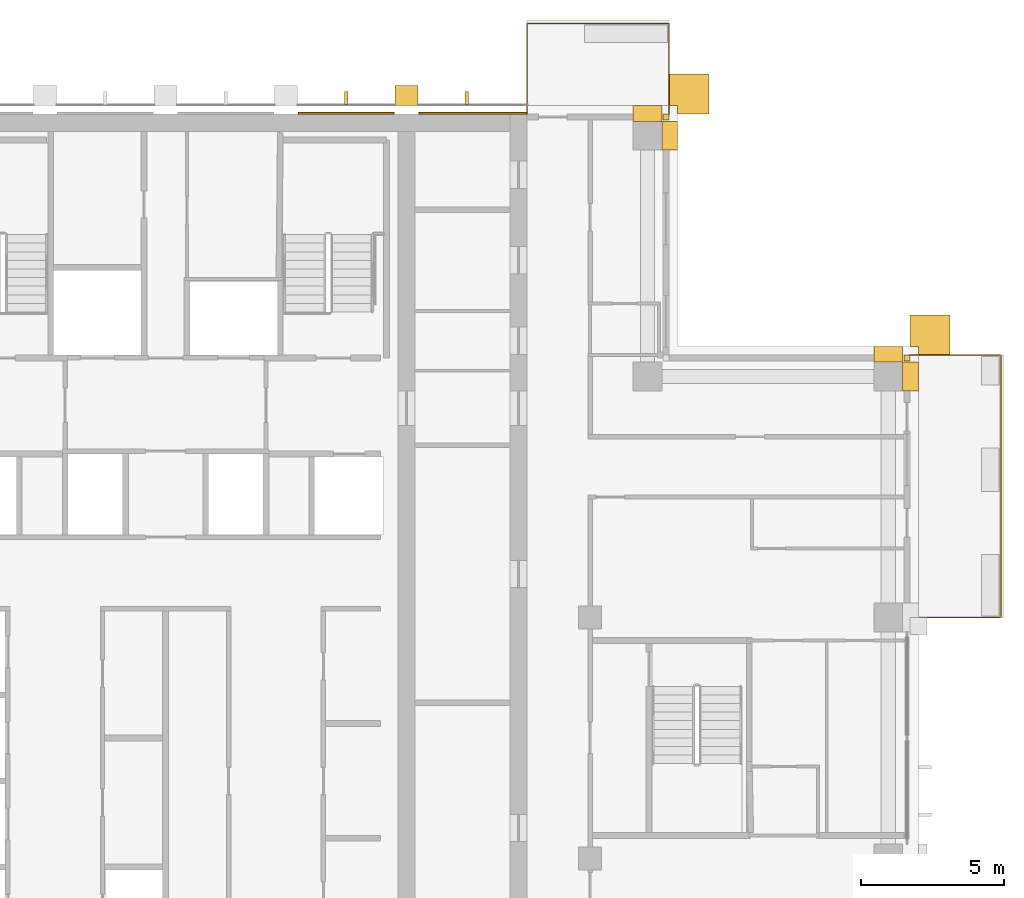
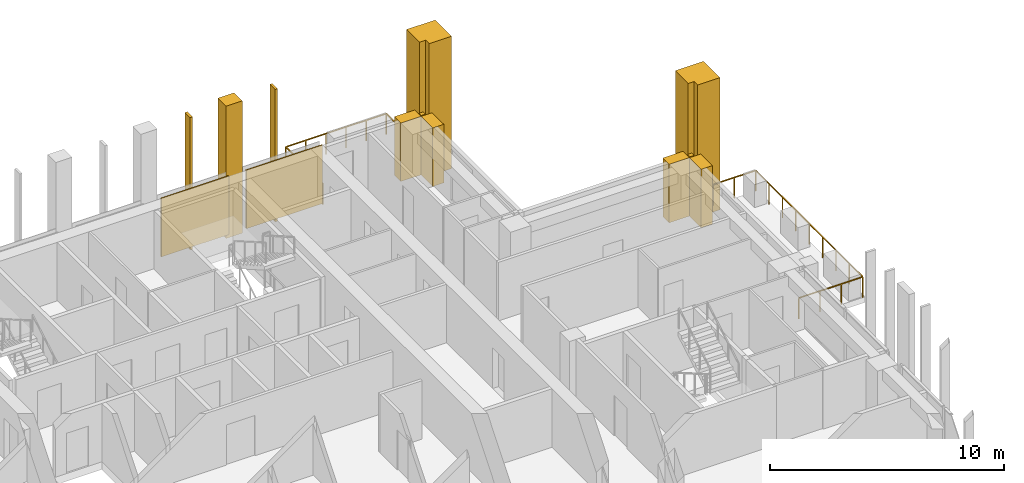
# One storey, part 16 of 16: 13 coverings, 2 railings.
"""IFC4 building model written with IfcOpenShell, lengths in metres."""

from ifc_helpers import new_model, si_unit, direction, frame, origin, origin_2d, place, context, subcontext, project, spatial, polyline, rectangle, outline, extrude, material, layer, layer_set, type_object, element, save


model = new_model("IFC4")

# Units and contexts
model_context = context("Model", 3, precision=1e-05, world=origin(), true_north=direction((0.0, 1.0)))
body_context = subcontext(model_context, "Body", "Model", "MODEL_VIEW")
ifc_project = project(units=[si_unit("LENGTHUNIT", "METRE"), si_unit("AREAUNIT", "SQUARE_METRE"), si_unit("VOLUMEUNIT", "CUBIC_METRE"), si_unit("PLANEANGLEUNIT", "RADIAN"), si_unit("MASSUNIT", "GRAM", prefix="KILO")], contexts=[model_context])

# Site, building, storey
site_placement = place(None, origin())
site = spatial("IfcSite", under=ifc_project, at=site_placement, CompositionType="ELEMENT")
building_placement = place(site_placement, origin())
building = spatial("IfcBuilding", under=site, at=building_placement, Name="Vermilion Ogive Tower", CompositionType="ELEMENT")
storey_placement = place(building_placement, frame((0.0, 0.0, 206.60009765625)))
storey = spatial("IfcBuildingStorey", under=building, at=storey_placement, Name="L54", CompositionType="ELEMENT", Elevation=206.60009765625)

# Railings
ifc_material_1 = material(Name="Stainless steel and glass", Category="steel")
railing_type = type_object("IfcRailingType", Name="Balcony guard", PredefinedType="GUARDRAIL", material=ifc_material_1)
railing_1_placement = place(storey_placement, frame((25.949951171875, 4.199951171875, -0.0400390625)))
element("IfcRailing", 1, at=railing_1_placement, inside=storey, type_object=railing_type, Name="Guard E03", PredefinedType="GUARDRAIL", context=body_context, shape_type="SweptSolid", body=[
    extrude(rectangle(XDim=0.048095703125, YDim=0.048095703125, at=origin_2d()), frame((0.0, 0.0, 1.076171875), z_axis=(1.0, 0.0, 0.0), x_axis=(0.0, 1.0, 0.0)), (0.0, 0.0, 1.0), 3.16015625),
    extrude(rectangle(XDim=0.048095703125, YDim=0.048095703125, at=origin_2d()), frame((3.16015625, 0.0, 1.076171875), z_axis=(0.0, 1.0, 0.0), x_axis=(-1.0, 0.0, 0.0)), (0.0, 0.0, 1.0), 9.150146484375),
    extrude(rectangle(XDim=0.048095703125, YDim=0.048095703125, at=origin_2d()), frame((3.16015625, 9.150146484375, 1.076171875), z_axis=(-1.0, 0.0, 0.0), x_axis=(0.0, -1.0, 0.0)), (0.0, 0.0, 1.0), 3.16015625),
    extrude(rectangle(XDim=0.0419921875, YDim=0.0419921875, at=origin_2d()), origin(), (0.0, 0.0, 1.0), 1.052001953125),
    extrude(rectangle(XDim=0.0419921875, YDim=0.0419921875, at=origin_2d()), frame((1.053466796875, 0.0, 0.0)), (0.0, 0.0, 1.0), 1.052001953125),
    extrude(rectangle(XDim=0.0419921875, YDim=0.0419921875, at=origin_2d()), frame((2.106689453125, 0.0, 0.0)), (0.0, 0.0, 1.0), 1.052001953125),
    extrude(rectangle(XDim=0.0419921875, YDim=0.0419921875, at=origin_2d()), frame((3.16015625, 0.0, 0.0)), (0.0, 0.0, 1.0), 1.052001953125),
    extrude(rectangle(XDim=0.0419921875, YDim=0.0419921875, at=origin_2d()), frame((3.16015625, 1.143798828125, 0.0)), (0.0, 0.0, 1.0), 1.052001953125),
    extrude(rectangle(XDim=0.0419921875, YDim=0.0419921875, at=origin_2d()), frame((3.16015625, 2.28759765625, 0.0)), (0.0, 0.0, 1.0), 1.052001953125),
    extrude(rectangle(XDim=0.0419921875, YDim=0.0419921875, at=origin_2d()), frame((3.16015625, 3.431396484375, 0.0)), (0.0, 0.0, 1.0), 1.052001953125),
    extrude(rectangle(XDim=0.0419921875, YDim=0.0419921875, at=origin_2d()), frame((3.16015625, 4.5751953125, 0.0)), (0.0, 0.0, 1.0), 1.052001953125),
    extrude(rectangle(XDim=0.0419921875, YDim=0.0419921875, at=origin_2d()), frame((3.16015625, 5.71875, 0.0)), (0.0, 0.0, 1.0), 1.052001953125),
    extrude(rectangle(XDim=0.0419921875, YDim=0.0419921875, at=origin_2d()), frame((3.16015625, 6.862548828125, 0.0)), (0.0, 0.0, 1.0), 1.052001953125),
    extrude(rectangle(XDim=0.0419921875, YDim=0.0419921875, at=origin_2d()), frame((3.16015625, 8.00634765625, 0.0)), (0.0, 0.0, 1.0), 1.052001953125),
    extrude(rectangle(XDim=0.0419921875, YDim=0.0419921875, at=origin_2d()), frame((3.16015625, 9.150146484375, 0.0)), (0.0, 0.0, 1.0), 1.052001953125),
    extrude(rectangle(XDim=0.0419921875, YDim=0.0419921875, at=origin_2d()), frame((2.106689453125, 9.150146484375, 0.0)), (0.0, 0.0, 1.0), 1.052001953125),
    extrude(rectangle(XDim=0.0419921875, YDim=0.0419921875, at=origin_2d()), frame((1.053466796875, 9.150146484375, 0.0)), (0.0, 0.0, 1.0), 1.052001953125),
    extrude(rectangle(XDim=0.0419921875, YDim=0.0419921875, at=origin_2d()), frame((0.0, 9.150146484375, 0.0)), (0.0, 0.0, 1.0), 1.052001953125),
])
railing_2_placement = place(storey_placement, frame((17.550048828125, 21.75, -0.0400390625)))
element("IfcRailing", 2, at=railing_2_placement, inside=storey, type_object=railing_type, Name="Guard N101", PredefinedType="GUARDRAIL", context=body_context, shape_type="SweptSolid", body=[
    extrude(rectangle(XDim=0.048095703125, YDim=0.048095703125, at=origin_2d()), frame((0.0, 0.0, 1.076171875), z_axis=(0.0, 1.0, 0.0), x_axis=(-1.0, 0.0, 0.0)), (0.0, 0.0, 1.0), 3.159912109375),
    extrude(rectangle(XDim=0.048095703125, YDim=0.048095703125, at=origin_2d()), frame((0.0, 3.159912109375, 1.076171875), z_axis=(-1.0, 0.0, 0.0), x_axis=(0.0, -1.0, 0.0)), (0.0, 0.0, 1.0), 4.949951171875),
    extrude(rectangle(XDim=0.048095703125, YDim=0.048095703125, at=origin_2d()), frame((-4.949951171875, 3.159912109375, 1.076171875), z_axis=(0.0, -1.0, 0.0), x_axis=(1.0, 0.0, 0.0)), (0.0, 0.0, 1.0), 3.159912109375),
    extrude(rectangle(XDim=0.0419921875, YDim=0.0419921875, at=origin_2d()), origin(), (0.0, 0.0, 1.0), 1.052001953125),
    extrude(rectangle(XDim=0.0419921875, YDim=0.0419921875, at=origin_2d()), frame((0.0, 1.05322265625, 0.0)), (0.0, 0.0, 1.0), 1.052001953125),
    extrude(rectangle(XDim=0.0419921875, YDim=0.0419921875, at=origin_2d()), frame((0.0, 2.106689453125, 0.0)), (0.0, 0.0, 1.0), 1.052001953125),
    extrude(rectangle(XDim=0.0419921875, YDim=0.0419921875, at=origin_2d()), frame((0.0, 3.159912109375, 0.0)), (0.0, 0.0, 1.0), 1.052001953125),
    extrude(rectangle(XDim=0.0419921875, YDim=0.0419921875, at=origin_2d()), frame((-0.989990234375, 3.159912109375, 0.0)), (0.0, 0.0, 1.0), 1.052001953125),
    extrude(rectangle(XDim=0.0419921875, YDim=0.0419921875, at=origin_2d()), frame((-1.97998046875, 3.159912109375, 0.0)), (0.0, 0.0, 1.0), 1.052001953125),
    extrude(rectangle(XDim=0.0419921875, YDim=0.0419921875, at=origin_2d()), frame((-2.969970703125, 3.159912109375, 0.0)), (0.0, 0.0, 1.0), 1.052001953125),
    extrude(rectangle(XDim=0.0419921875, YDim=0.0419921875, at=origin_2d()), frame((-3.9599609375, 3.159912109375, 0.0)), (0.0, 0.0, 1.0), 1.052001953125),
    extrude(rectangle(XDim=0.0419921875, YDim=0.0419921875, at=origin_2d()), frame((-4.949951171875, 3.159912109375, 0.0)), (0.0, 0.0, 1.0), 1.052001953125),
    extrude(rectangle(XDim=0.0419921875, YDim=0.0419921875, at=origin_2d()), frame((-4.949951171875, 2.106689453125, 0.0)), (0.0, 0.0, 1.0), 1.052001953125),
    extrude(rectangle(XDim=0.0419921875, YDim=0.0419921875, at=origin_2d()), frame((-4.949951171875, 1.05322265625, 0.0)), (0.0, 0.0, 1.0), 1.052001953125),
    extrude(rectangle(XDim=0.0419921875, YDim=0.0419921875, at=origin_2d()), frame((-4.949951171875, 0.0, 0.0)), (0.0, 0.0, 1.0), 1.052001953125),
])

# Coverings
ifc_material_2 = material(Name="Glazed ceramic screen")
ifc_layer = layer(ifc_material_2, 0.14990234375)
ifc_layer_set = layer_set([ifc_layer], Name="Ceramic solar screen fin")
covering_type_1 = type_object("IfcCoveringType", Name="Ceramic solar screen fin", PredefinedType="CLADDING", material=ifc_layer_set)
covering_1_placement = place(storey_placement, frame((0.0, 0.0, -0.400146484375)))
element("IfcCovering", 3, at=covering_1_placement, inside=storey, type_object=covering_type_1, Name="Solar screen blade N5", PredefinedType="CLADDING", context=body_context, shape_type="SweptSolid", body=[
    extrude(outline(polyline([(6.239990234375, 22.08203125), (6.360107421875, 22.08203125), (6.360107421875, 22.531982421875), (6.239990234375, 22.531982421875), (6.239990234375, 22.08203125)])), origin(), (0.0, 0.0, 1.0), 6.900146484375),
])
covering_2_placement = place(storey_placement, frame((0.0, 0.0, -0.400146484375)))
element("IfcCovering", 4, at=covering_2_placement, inside=storey, type_object=covering_type_1, Name="Solar screen blade N6", PredefinedType="CLADDING", context=body_context, shape_type="SweptSolid", body=[
    extrude(outline(polyline([(10.43994140625, 22.08203125), (10.56005859375, 22.08203125), (10.56005859375, 22.531982421875), (10.43994140625, 22.531982421875), (10.43994140625, 22.08203125)])), origin(), (0.0, 0.0, 1.0), 6.900146484375),
])
ifc_material_3 = material(Name="Stone cladding", Category="masonry")
covering_type_2 = type_object("IfcCoveringType", Name="Stone buttress pier", PredefinedType="CLADDING", material=ifc_material_3)
covering_3_placement = place(storey_placement, frame((0.0, 0.0, -0.400146484375)))
element("IfcCovering", 5, at=covering_3_placement, inside=storey, type_object=covering_type_2, Name="Stone buttress pier N5", PredefinedType="CLADDING", context=body_context, shape_type="SweptSolid", body=[
    extrude(outline(polyline([(8.800048828125, 22.75), (8.800048828125, 22.050048828125), (8.0, 22.050048828125), (8.0, 22.75), (8.800048828125, 22.75)])), origin(), (0.0, 0.0, 1.0), 6.900146484375),
])
ifc_material_4 = material(Name="Stone cladding", Category="masonry")
covering_type_3 = type_object("IfcCoveringType", Name="Stone cladding panel", PredefinedType="CLADDING", material=ifc_material_4)
covering_4_placement = place(storey_placement, origin())
element("IfcCovering", 6, at=covering_4_placement, inside=storey, type_object=covering_type_3, Name="Stone cladding panel N5", PredefinedType="CLADDING", context=body_context, shape_type="SweptSolid", body=[
    extrude(outline(polyline([(4.6298828125, 21.75), (7.969970703125, 21.75), (7.969970703125, 21.81005859375), (4.6298828125, 21.81005859375), (4.6298828125, 21.75)])), origin(), (0.0, 0.0, 1.0), 3.0498046875),
])
covering_5_placement = place(storey_placement, origin())
element("IfcCovering", 7, at=covering_5_placement, inside=storey, type_object=covering_type_3, Name="Stone cladding panel N6", PredefinedType="CLADDING", context=body_context, shape_type="SweptSolid", body=[
    extrude(outline(polyline([(8.830078125, 21.75), (12.590087890625, 21.75), (12.590087890625, 21.81005859375), (8.830078125, 21.81005859375), (8.830078125, 21.75)])), origin(), (0.0, 0.0, 1.0), 3.0498046875),
])
ifc_material_5 = material(Name="Stone cladding", Category="masonry")
covering_type_4 = type_object("IfcCoveringType", Name="Stone corner buttress", PredefinedType="CLADDING", material=ifc_material_5)
covering_6_placement = place(storey_placement, frame((0.0, 0.0, -0.400146484375)))
element("IfcCovering", 8, at=covering_6_placement, inside=storey, type_object=covering_type_4, Name="Stone corner buttress X31", PredefinedType="CLADDING", context=body_context, shape_type="SweptSolid", body=[
    extrude(outline(polyline([(27.35009765625, 13.35009765625), (26.25, 13.35009765625), (26.25, 13.64990234375), (25.949951171875, 13.64990234375), (25.949951171875, 14.75), (27.35009765625, 14.75), (27.35009765625, 13.35009765625)])), origin(), (0.0, 0.0, 1.0), 6.900146484375),
])
covering_7_placement = place(storey_placement, frame((0.0, 0.0, -0.400146484375)))
element("IfcCovering", 9, at=covering_7_placement, inside=storey, type_object=covering_type_4, Name="Stone corner buttress N11", PredefinedType="CLADDING", context=body_context, shape_type="SweptSolid", body=[
    extrude(outline(polyline([(17.85009765625, 22.050048828125), (17.550048828125, 22.050048828125), (17.550048828125, 23.14990234375), (18.949951171875, 23.14990234375), (18.949951171875, 21.75), (17.85009765625, 21.75), (17.85009765625, 22.050048828125)])), origin(), (0.0, 0.0, 1.0), 6.900146484375),
])
ifc_material_6 = material(Name="Stone cladding", Category="masonry")
covering_type_5 = type_object("IfcCoveringType", Name="Stone pier", PredefinedType="CLADDING", material=ifc_material_6)
covering_8_placement = place(storey_placement, origin())
element("IfcCovering", 10, at=covering_8_placement, inside=storey, type_object=covering_type_5, Name="Stone corner pier EE1", PredefinedType="CLADDING", context=body_context, shape_type="SweptSolid", body=[
    extrude(outline(polyline([(25.75, 13.14990234375), (25.75, 13.35009765625), (25.949951171875, 13.35009765625), (25.949951171875, 13.14990234375), (25.75, 13.14990234375)])), origin(), (0.0, 0.0, 1.0), 3.0498046875),
])
covering_9_placement = place(storey_placement, origin())
element("IfcCovering", 11, at=covering_9_placement, inside=storey, type_object=covering_type_5, Name="Stone corner pier X4E1", PredefinedType="CLADDING", context=body_context, shape_type="SweptSolid", body=[
    extrude(outline(polyline([(17.35009765625, 21.550048828125), (17.35009765625, 21.75), (17.550048828125, 21.75), (17.550048828125, 21.550048828125), (17.35009765625, 21.550048828125)])), origin(), (0.0, 0.0, 1.0), 3.0498046875),
])
covering_10_placement = place(storey_placement, origin())
element("IfcCovering", 12, at=covering_10_placement, inside=storey, type_object=covering_type_5, Name="Stone pier P+0168+210X4", PredefinedType="CLADDING", context=body_context, shape_type="SweptSolid", body=[
    extrude(outline(polyline([(17.85009765625, 21.5), (17.85009765625, 20.5), (17.300048828125, 20.5), (17.300048828125, 21.5), (17.85009765625, 21.5)])), origin(), (0.0, 0.0, 1.0), 3.0498046875),
])
covering_11_placement = place(storey_placement, origin())
element("IfcCovering", 13, at=covering_11_placement, inside=storey, type_object=covering_type_5, Name="Stone pier P+0168+210N1", PredefinedType="CLADDING", context=body_context, shape_type="SweptSolid", body=[
    extrude(outline(polyline([(17.300048828125, 22.050048828125), (17.300048828125, 21.5), (16.300048828125, 21.5), (16.300048828125, 22.050048828125), (17.300048828125, 22.050048828125)])), origin(), (0.0, 0.0, 1.0), 3.0498046875),
])
covering_12_placement = place(storey_placement, origin())
element("IfcCovering", 14, at=covering_12_placement, inside=storey, type_object=covering_type_5, Name="Stone pier P+0252+126E", PredefinedType="CLADDING", context=body_context, shape_type="SweptSolid", body=[
    extrude(outline(polyline([(26.25, 13.10009765625), (26.25, 12.10009765625), (25.699951171875, 12.10009765625), (25.699951171875, 13.10009765625), (26.25, 13.10009765625)])), origin(), (0.0, 0.0, 1.0), 3.0498046875),
])
covering_13_placement = place(storey_placement, origin())
element("IfcCovering", 15, at=covering_13_placement, inside=storey, type_object=covering_type_5, Name="Stone pier P+0252+126X3", PredefinedType="CLADDING", context=body_context, shape_type="SweptSolid", body=[
    extrude(outline(polyline([(25.699951171875, 13.64990234375), (25.699951171875, 13.10009765625), (24.699951171875, 13.10009765625), (24.699951171875, 13.64990234375), (25.699951171875, 13.64990234375)])), origin(), (0.0, 0.0, 1.0), 3.0498046875),
])

save(model, "model.ifc")
